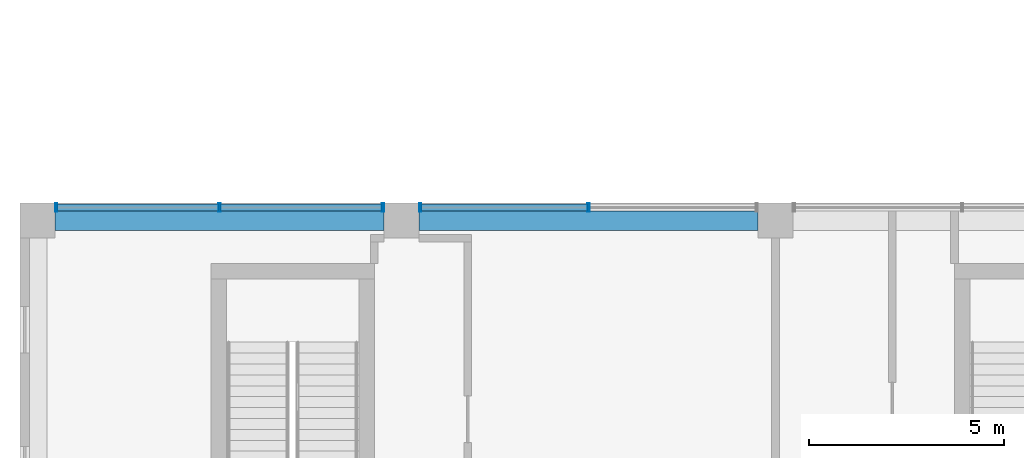
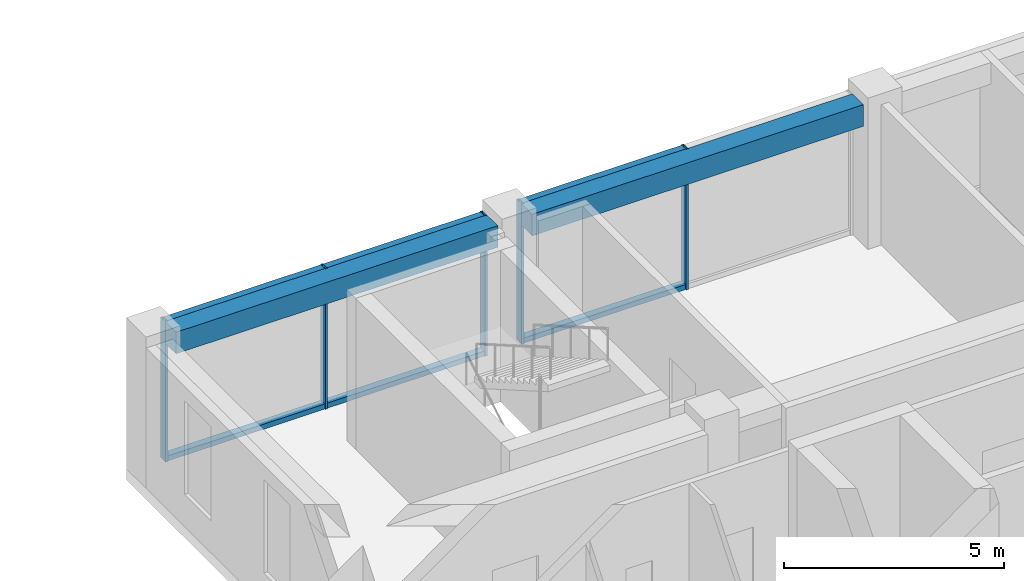
# One storey, part 21 of 36: 11 members, 2 beams, 2 elements without a shape of their own.
"""IFC4 building model written with IfcOpenShell, lengths in metres."""

from ifc_helpers import new_model, si_unit, direction, frame, origin, origin_2d, place, context, subcontext, project, spatial, rectangle, hollow_rectangle, extrude, material, layer, layer_set, material_profile, profile_set, type_object, element, aggregate, save


model = new_model("IFC4")

# Units and contexts
model_context = context("Model", 3, precision=1e-05, world=origin(), true_north=direction((0.0, 1.0)))
body_context = subcontext(model_context, "Body", "Model", "MODEL_VIEW")
ifc_project = project(units=[si_unit("LENGTHUNIT", "METRE"), si_unit("AREAUNIT", "SQUARE_METRE"), si_unit("VOLUMEUNIT", "CUBIC_METRE"), si_unit("PLANEANGLEUNIT", "RADIAN"), si_unit("MASSUNIT", "GRAM", prefix="KILO")], contexts=[model_context])

# Site, building, storey
site_placement = place(None, origin())
site = spatial("IfcSite", under=ifc_project, at=site_placement, CompositionType="ELEMENT")
building_placement = place(site_placement, origin())
building = spatial("IfcBuilding", under=site, at=building_placement, Name="Nzadi Deep Aquarium and Research Tower", CompositionType="ELEMENT")
storey_placement = place(building_placement, frame((0.0, 0.0, 36.10009765625)))
storey = spatial("IfcBuildingStorey", under=building, at=storey_placement, Name="L06", CompositionType="ELEMENT", Elevation=36.10009765625)

# Curtain wall, members
ifc_material_1 = material(Name="Aluminium unitised frame deep", Category="aluminium")
ifc_layer = layer(ifc_material_1, 0.22509765625)
ifc_layer_set = layer_set([ifc_layer], Name="Aluminium unitised frame deep")
curtain_wall_type = type_object("IfcCurtainWallType", Name="Curtain wall Unitised Deep 225", PredefinedType="NOTDEFINED", material=ifc_layer_set)
curtain_wall_1_placement = place(storey_placement, origin())
curtain_wall_1 = element("IfcCurtainWall", 1, at=curtain_wall_1_placement, inside=storey, type_object=curtain_wall_type, Name="Unitised curtain wall blade B north L06", PredefinedType="NOTDEFINED")
ifc_material_2 = material(Name="Aluminium unitised frame deep", Category="aluminium")
ifc_material_profile_1 = material_profile(ifc_material_2, hollow_rectangle(XDim=0.22509765625, YDim=0.06005859375, WallThickness=0.0048828125, at=origin_2d()))
ifc_profile_set_1 = profile_set([ifc_material_profile_1], Name="Aluminium unitised frame deep")
member_type_1 = type_object("IfcMemberType", Name="Mullion 60x225 Unitised Deep", PredefinedType="MULLION", material=ifc_profile_set_1)
member_1_placement = place(storey_placement, frame((0.72998046875, 46.33740234375, 0.0), z_axis=(0.0, 0.0, 1.0), x_axis=(0.0, 1.0, 0.0)))
member_1 = element("IfcMember", 2, at=member_1_placement, type_object=member_type_1, Name="CW093 mullion 1", PredefinedType="MULLION", context=body_context, shape_type="SweptSolid", body=[
    extrude(hollow_rectangle(XDim=0.22509765625, YDim=0.06005859375, WallThickness=0.0048828125, at=origin_2d()), origin(), (0.0, 0.0, 1.0), 3.89990234375),
])
member_2_placement = place(storey_placement, frame((4.925048828125, 46.33740234375, 0.0), z_axis=(0.0, 0.0, 1.0), x_axis=(0.0, 1.0, 0.0)))
member_2 = element("IfcMember", 3, at=member_2_placement, type_object=member_type_1, Name="CW093 mullion 2", PredefinedType="MULLION", context=body_context, shape_type="SweptSolid", body=[
    extrude(hollow_rectangle(XDim=0.22509765625, YDim=0.06005859375, WallThickness=0.0048828125, at=origin_2d()), origin(), (0.0, 0.0, 1.0), 3.89990234375),
])
member_3_placement = place(storey_placement, frame((9.1201171875, 46.33740234375, 0.0), z_axis=(0.0, 0.0, 1.0), x_axis=(0.0, 1.0, 0.0)))
member_3 = element("IfcMember", 4, at=member_3_placement, type_object=member_type_1, Name="CW093 mullion 3", PredefinedType="MULLION", context=body_context, shape_type="SweptSolid", body=[
    extrude(hollow_rectangle(XDim=0.22509765625, YDim=0.06005859375, WallThickness=0.0048828125, at=origin_2d()), origin(), (0.0, 0.0, 1.0), 3.89990234375),
])

curtain_wall_2_placement = place(storey_placement, origin())
curtain_wall_2 = element("IfcCurtainWall", 5, at=curtain_wall_2_placement, inside=storey, type_object=curtain_wall_type, Name="Unitised curtain wall blade B north L06", PredefinedType="NOTDEFINED")
member_4_placement = place(storey_placement, frame((10.080078125, 46.33740234375, 0.0), z_axis=(0.0, 0.0, 1.0), x_axis=(0.0, 1.0, 0.0)))
member_4 = element("IfcMember", 6, at=member_4_placement, type_object=member_type_1, Name="CW094 mullion 1", PredefinedType="MULLION", context=body_context, shape_type="SweptSolid", body=[
    extrude(hollow_rectangle(XDim=0.22509765625, YDim=0.06005859375, WallThickness=0.0048828125, at=origin_2d()), origin(), (0.0, 0.0, 1.0), 3.89990234375),
])
member_5_placement = place(storey_placement, frame((14.39990234375, 46.33740234375, 0.0), z_axis=(0.0, 0.0, 1.0), x_axis=(0.0, 1.0, 0.0)))
member_5 = element("IfcMember", 7, at=member_5_placement, type_object=member_type_1, Name="CW094 mullion 2", PredefinedType="MULLION", context=body_context, shape_type="SweptSolid", body=[
    extrude(hollow_rectangle(XDim=0.22509765625, YDim=0.06005859375, WallThickness=0.0048828125, at=origin_2d()), origin(), (0.0, 0.0, 1.0), 3.89990234375),
])

# Beams
ifc_material_3 = material(Name="Concrete C35/45", Category="concrete")
ifc_material_profile_2 = material_profile(ifc_material_3, rectangle(XDim=0.5, YDim=0.60009765625, at=origin_2d()))
ifc_profile_set_2 = profile_set([ifc_material_profile_2], Name="Concrete C35/45")
beam_type = type_object("IfcBeamType", Name="RC 500x600", PredefinedType="BEAM", material=ifc_profile_set_2)
beam_1_placement = place(storey_placement, frame((0.699951171875, 46.0, 3.599853515625), z_axis=(1.0, 0.0, 0.0), x_axis=(0.0, 1.0, 0.0)))
element("IfcBeam", 8, at=beam_1_placement, inside=storey, type_object=beam_type, Name="B-Z1-L06-L6-1", PredefinedType="BEAM", context=body_context, shape_type="SweptSolid", body=[
    extrude(rectangle(XDim=0.5, YDim=0.60009765625, at=origin_2d()), origin(), (0.0, 0.0, 1.0), 8.449951171875),
])
beam_2_placement = place(storey_placement, frame((10.050048828125, 46.0, 3.599853515625), z_axis=(1.0, 0.0, 0.0), x_axis=(0.0, 1.0, 0.0)))
element("IfcBeam", 9, at=beam_2_placement, inside=storey, type_object=beam_type, Name="B-Z1-L06-L6-2", PredefinedType="BEAM", context=body_context, shape_type="SweptSolid", body=[
    extrude(rectangle(XDim=0.5, YDim=0.60009765625, at=origin_2d()), origin(), (0.0, 0.0, 1.0), 8.699951171875),
])

# Member
ifc_material_4 = material(Name="Aluminium unitised frame deep", Category="aluminium")
ifc_material_profile_3 = material_profile(ifc_material_4, hollow_rectangle(XDim=0.179931640625, YDim=0.139892578125, WallThickness=0.0048828125, at=origin_2d()))
ifc_profile_set_3 = profile_set([ifc_material_profile_3], Name="Aluminium unitised frame deep")
member_type_2 = type_object("IfcMemberType", Name="Transom 140x180 Unitised Deep", PredefinedType="MULLION", material=ifc_profile_set_3)
member_6_placement = place(storey_placement, frame((0.760009765625, 46.33740234375, 0.06982421875), z_axis=(1.0, 0.0, 0.0), x_axis=(0.0, 1.0, 0.0)))
member_6 = element("IfcMember", 10, at=member_6_placement, type_object=member_type_2, Name="CW093 transom 1.1", PredefinedType="MULLION", context=body_context, shape_type="SweptSolid", body=[
    extrude(hollow_rectangle(XDim=0.179931640625, YDim=0.139892578125, WallThickness=0.0048828125, at=origin_2d()), origin(), (0.0, 0.0, 1.0), 4.135009765625),
])

member_7_placement = place(storey_placement, frame((0.760009765625, 46.33740234375, 3.829833984375), z_axis=(1.0, 0.0, 0.0), x_axis=(0.0, 1.0, 0.0)))
member_7 = element("IfcMember", 11, at=member_7_placement, type_object=member_type_2, Name="CW093 transom 1.2", PredefinedType="MULLION", context=body_context, shape_type="SweptSolid", body=[
    extrude(hollow_rectangle(XDim=0.179931640625, YDim=0.139892578125, WallThickness=0.0048828125, at=origin_2d()), origin(), (0.0, 0.0, 1.0), 4.135009765625),
])

member_8_placement = place(storey_placement, frame((4.955078125, 46.33740234375, 0.06982421875), z_axis=(1.0, 0.0, 0.0), x_axis=(0.0, 1.0, 0.0)))
member_8 = element("IfcMember", 12, at=member_8_placement, type_object=member_type_2, Name="CW093 transom 2.1", PredefinedType="MULLION", context=body_context, shape_type="SweptSolid", body=[
    extrude(hollow_rectangle(XDim=0.179931640625, YDim=0.139892578125, WallThickness=0.0048828125, at=origin_2d()), origin(), (0.0, 0.0, 1.0), 4.135009765625),
])

member_9_placement = place(storey_placement, frame((4.955078125, 46.33740234375, 3.829833984375), z_axis=(1.0, 0.0, 0.0), x_axis=(0.0, 1.0, 0.0)))
member_9 = element("IfcMember", 13, at=member_9_placement, type_object=member_type_2, Name="CW093 transom 2.2", PredefinedType="MULLION", context=body_context, shape_type="SweptSolid", body=[
    extrude(hollow_rectangle(XDim=0.179931640625, YDim=0.139892578125, WallThickness=0.0048828125, at=origin_2d()), origin(), (0.0, 0.0, 1.0), 4.135009765625),
])

aggregate(curtain_wall_1, [member_1, member_2, member_3, member_6, member_7, member_8, member_9])

member_10_placement = place(storey_placement, frame((10.110107421875, 46.33740234375, 0.06982421875), z_axis=(1.0, 0.0, 0.0), x_axis=(0.0, 1.0, 0.0)))
member_10 = element("IfcMember", 14, at=member_10_placement, type_object=member_type_2, Name="CW094 transom 1.1", PredefinedType="MULLION", context=body_context, shape_type="SweptSolid", body=[
    extrude(hollow_rectangle(XDim=0.179931640625, YDim=0.139892578125, WallThickness=0.0048828125, at=origin_2d()), origin(), (0.0, 0.0, 1.0), 4.260009765625),
])

member_11_placement = place(storey_placement, frame((10.110107421875, 46.33740234375, 3.829833984375), z_axis=(1.0, 0.0, 0.0), x_axis=(0.0, 1.0, 0.0)))
member_11 = element("IfcMember", 15, at=member_11_placement, type_object=member_type_2, Name="CW094 transom 1.2", PredefinedType="MULLION", context=body_context, shape_type="SweptSolid", body=[
    extrude(hollow_rectangle(XDim=0.179931640625, YDim=0.139892578125, WallThickness=0.0048828125, at=origin_2d()), origin(), (0.0, 0.0, 1.0), 4.260009765625),
])

aggregate(curtain_wall_2, [member_4, member_5, member_10, member_11])

save(model, "model.ifc")
